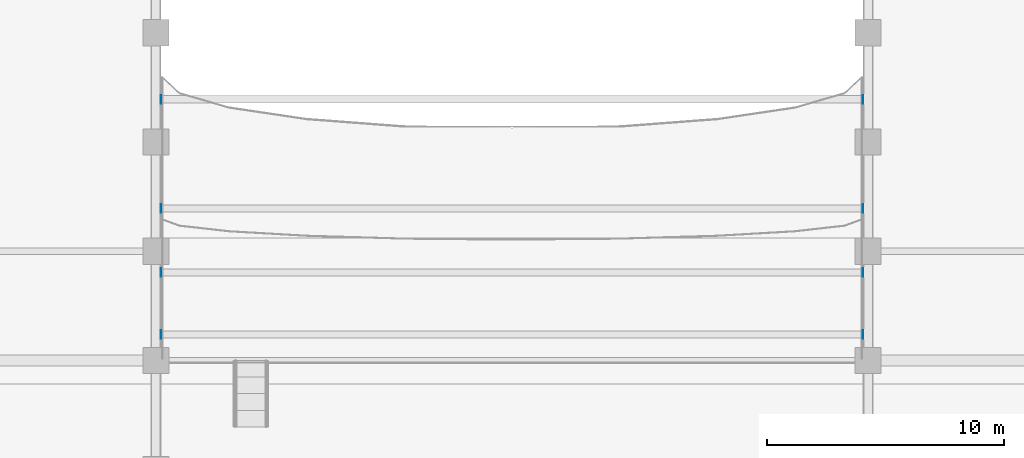
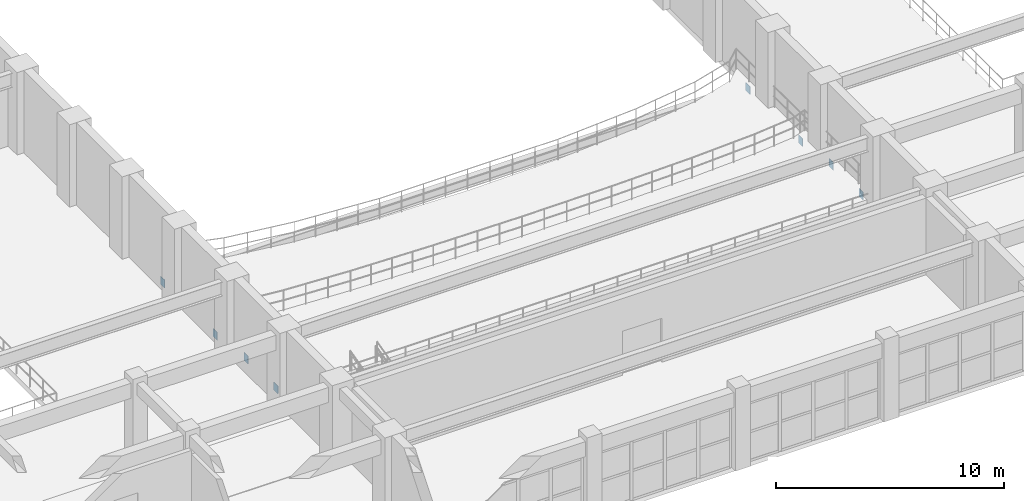
# One storey, part 64 of 90: 8 plates.
"""IFC4 building model written with IfcOpenShell, lengths in metres."""

from ifc_helpers import new_model, si_unit, direction, frame, origin, origin_2d, place, context, subcontext, project, spatial, rectangle, extrude, material, layer, layer_set, type_object, element, save


model = new_model("IFC4")

# Units and contexts
model_context = context("Model", 3, precision=1e-05, world=origin(), true_north=direction((0.0, 1.0)))
body_context = subcontext(model_context, "Body", "Model", "MODEL_VIEW")
ifc_project = project(units=[si_unit("LENGTHUNIT", "METRE"), si_unit("AREAUNIT", "SQUARE_METRE"), si_unit("VOLUMEUNIT", "CUBIC_METRE"), si_unit("PLANEANGLEUNIT", "RADIAN"), si_unit("MASSUNIT", "GRAM", prefix="KILO")], contexts=[model_context])

# Site, building, storey
site_placement = place(None, origin())
site = spatial("IfcSite", under=ifc_project, at=site_placement, CompositionType="ELEMENT")
building_placement = place(site_placement, origin())
building = spatial("IfcBuilding", under=site, at=building_placement, Name="Muzn Square Opera House", CompositionType="ELEMENT")
storey_placement = place(building_placement, frame((0.0, 0.0, 9.800048828125)))
storey = spatial("IfcBuildingStorey", under=building, at=storey_placement, Name="L02", CompositionType="ELEMENT", Elevation=9.800048828125)

# Plates
ifc_material = material(Name="Steel S355", Category="steel")
ifc_layer = layer(ifc_material, 0.02490234375, Name="Steel S355", Category="steel")
ifc_layer_set = layer_set([ifc_layer], Name="Steel S355")
plate_type = type_object("IfcPlateType", Name="Cast-In Wall Embedment Plate 25mm 360x420", PredefinedType="USERDEFINED", material=ifc_layer_set)
for number, where, z_axis, x_axis, name in (
    (1, (73.2099609375, 36.89990234375, 0.034912109375), (0.0, 0.0, 1.0), (1.0, 0.0, 0.0), "Raker Cast-In Wall Embedment Plate RAKER-L02-01-W"),
    (2, (102.7900390625, 36.89990234375, 0.034912109375), (0.0, 0.0, 1.0), (1.0, 0.0, 0.0), "Raker Cast-In Wall Embedment Plate RAKER-L02-01-E"),
    (3, (73.2099609375, 39.5, 0.034912109375), (0.0, 0.0, 1.0), (1.0, 0.0, 0.0), "Raker Cast-In Wall Embedment Plate RAKER-L02-02-W"),
    (4, (102.7900390625, 39.5, 0.034912109375), (0.0, 0.0, 1.0), (1.0, 0.0, 0.0), "Raker Cast-In Wall Embedment Plate RAKER-L02-02-E"),
    (5, (73.2099609375, 42.199951171875, -0.324951171875), (0.0, 0.0, 1.0), (1.0, 0.0, 0.0), "Raker Cast-In Wall Embedment Plate RAKER-L02-03-W"),
    (6, (102.7900390625, 42.199951171875, -0.324951171875), (0.0, 0.0, 1.0), (1.0, 0.0, 0.0), "Raker Cast-In Wall Embedment Plate RAKER-L02-03-E"),
    (7, (73.2099609375, 46.800048828125, -0.324951171875), (0.0, 0.0, 1.0), (1.0, 0.0, 0.0), "Raker Cast-In Wall Embedment Plate RAKER-L02-04-W"),
    (8, (102.7900390625, 46.800048828125, -0.324951171875), (0.0, 0.0, 1.0), (1.0, 0.0, 0.0), "Raker Cast-In Wall Embedment Plate RAKER-L02-04-E"),
):
    element("IfcPlate", number, at=place(storey_placement, frame(where, z_axis=z_axis, x_axis=x_axis)), inside=storey, type_object=plate_type, Name=name, ObjectType="GUSSET PLATE", PredefinedType="USERDEFINED", context=body_context, shape_type="SweptSolid", body=[
        extrude(rectangle(XDim=0.02490234375, YDim=0.360107421875, at=origin_2d()), origin(), (0.0, 0.0, 1.0), 0.419921875),
    ])

save(model, "model.ifc")
